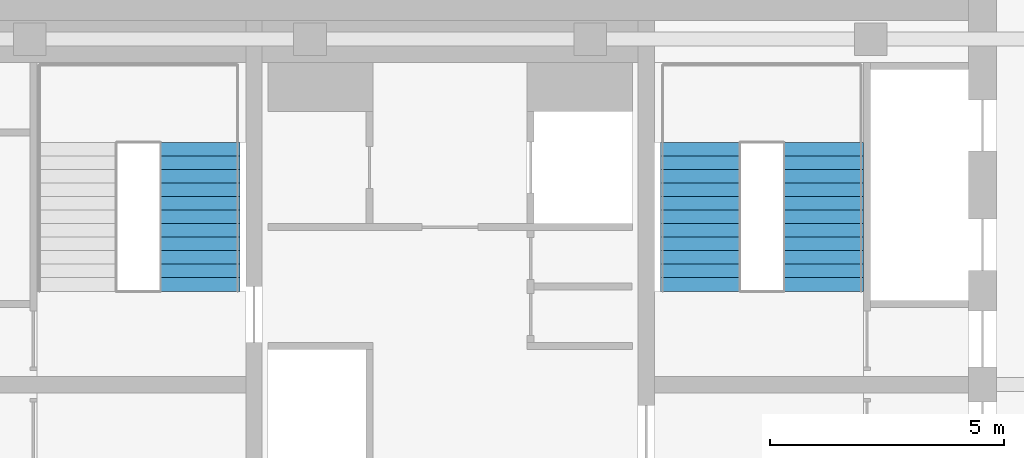
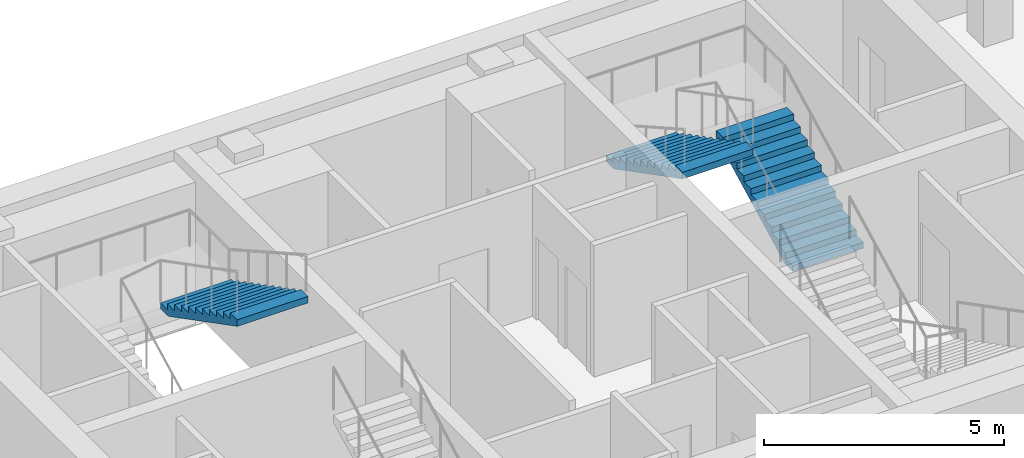
# One storey, part 18 of 19: 3 stair flights, 2 elements without a shape of their own.
"""IFC4 building model written with IfcOpenShell, lengths in metres."""

from ifc_helpers import new_model, si_unit, direction, frame, origin, place, context, subcontext, project, spatial, polyline, outline, extrude, material, type_object, element, aggregate, save


model = new_model("IFC4")

# Units and contexts
model_context = context("Model", 3, precision=1e-05, world=origin(), true_north=direction((0.0, 1.0)))
body_context = subcontext(model_context, "Body", "Model", "MODEL_VIEW")
ifc_project = project(units=[si_unit("LENGTHUNIT", "METRE"), si_unit("AREAUNIT", "SQUARE_METRE"), si_unit("VOLUMEUNIT", "CUBIC_METRE"), si_unit("PLANEANGLEUNIT", "RADIAN"), si_unit("MASSUNIT", "GRAM", prefix="KILO")], contexts=[model_context])

# Site, building, storey
site_placement = place(None, origin())
site = spatial("IfcSite", under=ifc_project, at=site_placement, CompositionType="ELEMENT")
building_placement = place(site_placement, origin())
building = spatial("IfcBuilding", under=site, at=building_placement, Name="Marenta Gate Hotel Tower", CompositionType="ELEMENT")
storey_placement = place(building_placement, frame((0.0, 0.0, 274.10009765625)))
storey = spatial("IfcBuildingStorey", under=building, at=storey_placement, Name="L63", CompositionType="ELEMENT", Elevation=274.10009765625)

# Stair, stair flight
ifc_material_1 = material(Name="Concrete C40", Category="concrete")
stair_type = type_object("IfcStairType", Name="Core exit stair 1700 wide", PredefinedType="HALF_TURN_STAIR", material=ifc_material_1)
stair_1_placement = place(storey_placement, origin())
stair_1 = element("IfcStair", 1, at=stair_1_placement, inside=storey, type_object=stair_type, Name="Exit stair 2", PredefinedType="HALF_TURN_STAIR")
ifc_material_2 = material(Name="Concrete C40", Category="concrete")
stair_flight_type = type_object("IfcStairFlightType", Name="Core stair flight 1700 riser 150.0 going 290", PredefinedType="STRAIGHT", material=ifc_material_2)
stair_flight_1_placement = place(storey_placement, frame((-5.35009765625, 13.590087890625, 1.7998046875), z_axis=(0.0, 0.0, 1.0), x_axis=(0.0, -1.0, 0.0)))
stair_flight_1 = element("IfcStairFlight", 2, at=stair_flight_1_placement, type_object=stair_flight_type, Name="ST2 flight 2", NumberOfRisers=12, NumberOfTreads=11, PredefinedType="STRAIGHT", RiserHeight=0.15, TreadLength=0.29, context=body_context, shape_type="SweptSolid", body=[
    extrude(outline(polyline([(0.0, 0.0), (0.0, 0.14990234375), (0.2900390625, 0.14990234375), (0.2900390625, 0.300048828125), (0.580078125, 0.300048828125), (0.580078125, 0.449951171875), (0.8701171875, 0.449951171875), (0.8701171875, 0.60009765625), (1.159912109375, 0.60009765625), (1.159912109375, 0.75), (1.449951171875, 0.75), (1.449951171875, 0.89990234375), (1.739990234375, 0.89990234375), (1.739990234375, 1.050048828125), (2.030029296875, 1.050048828125), (2.030029296875, 1.199951171875), (2.320068359375, 1.199951171875), (2.320068359375, 1.35009765625), (2.610107421875, 1.35009765625), (2.610107421875, 1.5), (2.89990234375, 1.5), (2.89990234375, 1.64990234375), (3.18994140625, 1.64990234375), (3.18994140625, 1.800048828125), (3.18994140625, 1.481201171875), (0.326171875, 0.0), (0.0, 0.0)])), frame((0.0, 0.85009765625, 0.0), z_axis=(0.0, -1.0, 0.0), x_axis=(1.0, 0.0, 0.0)), (0.0, 0.0, 1.0), 1.699951171875),
])
aggregate(stair_1, [stair_flight_1])

# Stair, stair flights
stair_2_placement = place(storey_placement, origin())
stair_2 = element("IfcStair", 3, at=stair_2_placement, inside=storey, type_object=stair_type, Name="Exit stair 4", PredefinedType="HALF_TURN_STAIR")
stair_flight_2_placement = place(storey_placement, frame((8.0, 10.39990234375, 0.0), z_axis=(0.0, 0.0, 1.0), x_axis=(0.0, 1.0, 0.0)))
stair_flight_2 = element("IfcStairFlight", 4, at=stair_flight_2_placement, type_object=stair_flight_type, Name="ST4 flight 1", NumberOfRisers=12, NumberOfTreads=11, PredefinedType="STRAIGHT", RiserHeight=0.15, TreadLength=0.29, context=body_context, shape_type="SweptSolid", body=[
    extrude(outline(polyline([(0.0, 0.0), (0.0, 0.14990234375), (0.2900390625, 0.14990234375), (0.2900390625, 0.300048828125), (0.580078125, 0.300048828125), (0.580078125, 0.449951171875), (0.8701171875, 0.449951171875), (0.8701171875, 0.60009765625), (1.159912109375, 0.60009765625), (1.159912109375, 0.75), (1.449951171875, 0.75), (1.449951171875, 0.89990234375), (1.739990234375, 0.89990234375), (1.739990234375, 1.050048828125), (2.030029296875, 1.050048828125), (2.030029296875, 1.199951171875), (2.320068359375, 1.199951171875), (2.320068359375, 1.35009765625), (2.610107421875, 1.35009765625), (2.610107421875, 1.5), (2.89990234375, 1.5), (2.89990234375, 1.64990234375), (3.18994140625, 1.64990234375), (3.18994140625, 1.800048828125), (3.18994140625, 1.481201171875), (0.326171875, 0.0), (0.0, 0.0)])), frame((0.0, 0.85009765625, 0.0), z_axis=(0.0, -1.0, 0.0), x_axis=(1.0, 0.0, 0.0)), (0.0, 0.0, 1.0), 1.699951171875),
])
stair_flight_3_placement = place(storey_placement, frame((5.35009765625, 13.590087890625, 1.7998046875), z_axis=(0.0, 0.0, 1.0), x_axis=(0.0, -1.0, 0.0)))
stair_flight_3 = element("IfcStairFlight", 5, at=stair_flight_3_placement, type_object=stair_flight_type, Name="ST4 flight 2", NumberOfRisers=12, NumberOfTreads=11, PredefinedType="STRAIGHT", RiserHeight=0.15, TreadLength=0.29, context=body_context, shape_type="SweptSolid", body=[
    extrude(outline(polyline([(0.0, 0.0), (0.0, 0.14990234375), (0.2900390625, 0.14990234375), (0.2900390625, 0.300048828125), (0.580078125, 0.300048828125), (0.580078125, 0.449951171875), (0.8701171875, 0.449951171875), (0.8701171875, 0.60009765625), (1.159912109375, 0.60009765625), (1.159912109375, 0.75), (1.449951171875, 0.75), (1.449951171875, 0.89990234375), (1.739990234375, 0.89990234375), (1.739990234375, 1.050048828125), (2.030029296875, 1.050048828125), (2.030029296875, 1.199951171875), (2.320068359375, 1.199951171875), (2.320068359375, 1.35009765625), (2.610107421875, 1.35009765625), (2.610107421875, 1.5), (2.89990234375, 1.5), (2.89990234375, 1.64990234375), (3.18994140625, 1.64990234375), (3.18994140625, 1.800048828125), (3.18994140625, 1.481201171875), (0.326171875, 0.0), (0.0, 0.0)])), frame((0.0, 0.85009765625, 0.0), z_axis=(0.0, -1.0, 0.0), x_axis=(1.0, 0.0, 0.0)), (0.0, 0.0, 1.0), 1.699951171875),
])
aggregate(stair_2, [stair_flight_2, stair_flight_3])

save(model, "model.ifc")
